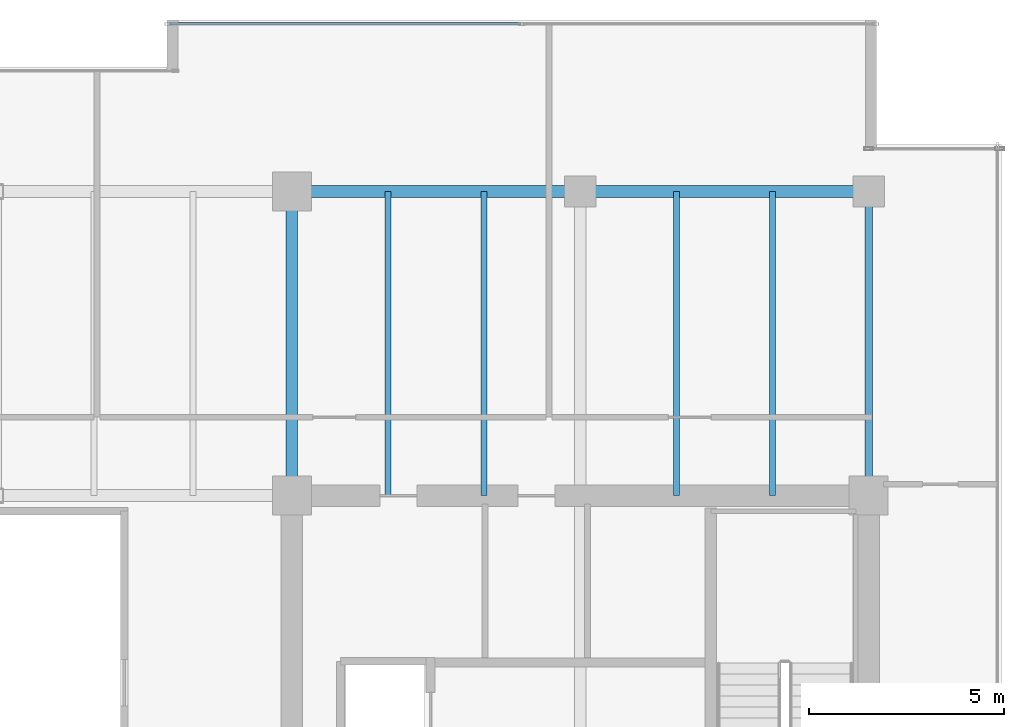
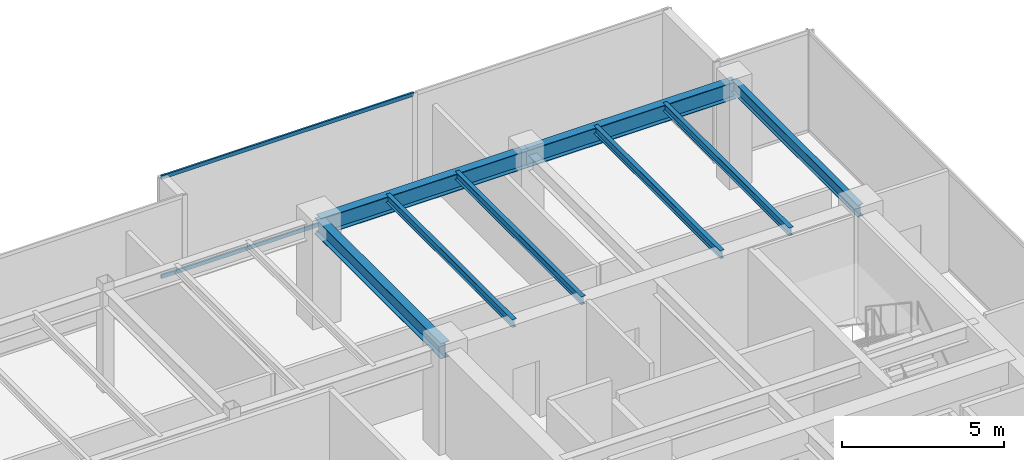
# One storey, part 20 of 33: 8 beams, 2 members, 1 element without a shape of its own.
"""IFC4 building model written with IfcOpenShell, lengths in metres."""

from ifc_helpers import new_model, si_unit, direction, frame, origin, origin_2d, place, context, subcontext, project, spatial, hollow_rectangle, i_section, extrude, source, transform, mapped, material, layer, layer_set, material_profile, profile_set, type_object, type_shapes, element, aggregate, save


model = new_model("IFC4")

# Units and contexts
model_context = context("Model", 3, precision=1e-05, world=origin(), true_north=direction((0.0, 1.0)))
body_context = subcontext(model_context, "Body", "Model", "MODEL_VIEW")
ifc_project = project(units=[si_unit("LENGTHUNIT", "METRE"), si_unit("AREAUNIT", "SQUARE_METRE"), si_unit("VOLUMEUNIT", "CUBIC_METRE"), si_unit("PLANEANGLEUNIT", "RADIAN"), si_unit("MASSUNIT", "GRAM", prefix="KILO")], contexts=[model_context])

# Site, building, storey
site_placement = place(None, origin())
site = spatial("IfcSite", under=ifc_project, at=site_placement, CompositionType="ELEMENT")
building_placement = place(site_placement, origin())
building = spatial("IfcBuilding", under=site, at=building_placement, Name="Haelvirn Gate Laboratories", CompositionType="ELEMENT")
storey_placement = place(building_placement, frame((0.0, 0.0, 230.10009765625)))
storey = spatial("IfcBuildingStorey", under=building, at=storey_placement, Name="L55", CompositionType="ELEMENT", Elevation=230.10009765625)

# Beams
ifc_material_1 = material(Name="Steel SM355", Category="steel")
ifc_material_profile_1 = material_profile(ifc_material_1, i_section(OverallWidth=0.14990234375, OverallDepth=0.300048828125, WebThickness=0.006591796875, FlangeThickness=0.009033203125, at=origin_2d()), Name="H-300x150x6.5x9")
ifc_profile_set_1 = profile_set([ifc_material_profile_1], Name="Steel SM355")
beam_type_1 = type_object("IfcBeamType", Name="BM-J-300", PredefinedType="JOIST", material=ifc_profile_set_1)
shared_shape_1 = source(origin(), body_context, "Body", "SweptSolid", [
    extrude(i_section(OverallWidth=0.14990234375, OverallDepth=0.300048828125, WebThickness=0.006591796875, FlangeThickness=0.009033203125, at=origin_2d()), origin(), (0.0, 0.0, 1.0), 7.800048828125),
])
type_shapes(beam_type_1, [shared_shape_1])
for number, where, z_axis, x_axis, name in (
    (1, (55.070068359375, 33.800048828125, 3.64990234375), (0.0, 1.0, 0.0), (-1.0, 0.0, 0.0), "L55 Composite Lab Joist North X55.07"),
    (2, (57.530029296875, 33.800048828125, 3.64990234375), (0.0, 1.0, 0.0), (-1.0, 0.0, 0.0), "L55 Composite Lab Joist North X57.53"),
    (3, (62.469970703125, 33.800048828125, 3.64990234375), (0.0, 1.0, 0.0), (-1.0, 0.0, 0.0), "L55 Composite Lab Joist North X62.47"),
    (4, (64.929931640625, 33.800048828125, 3.64990234375), (0.0, 1.0, 0.0), (-1.0, 0.0, 0.0), "L55 Composite Lab Joist North X64.93"),
):
    element("IfcBeam", number, at=place(storey_placement, frame(where, z_axis=z_axis, x_axis=x_axis)), inside=storey, type_object=beam_type_1, Name=name, PredefinedType="JOIST", context=body_context, shape_type="MappedRepresentation", body=[
        mapped(shared_shape_1, transform((0.0, 0.0, 0.0), scale=1.0)),
    ])
ifc_material_profile_2 = material_profile(ifc_material_1, i_section(OverallWidth=0.300048828125, OverallDepth=0.587890625, WebThickness=0.011962890625, FlangeThickness=0.02001953125, at=origin_2d()), Name="H-588x300x12x20")
ifc_profile_set_2 = profile_set([ifc_material_profile_2], Name="Steel SM355")
beam_type_2 = type_object("IfcBeamType", Name="BM-G-588", PredefinedType="BEAM", material=ifc_profile_set_2)
shared_shape_2 = source(origin(), body_context, "Body", "SweptSolid", [
    extrude(i_section(OverallWidth=0.300048828125, OverallDepth=0.587890625, WebThickness=0.011962890625, FlangeThickness=0.02001953125, at=origin_2d()), origin(), (0.0, 0.0, 1.0), 7.800048828125),
])
type_shapes(beam_type_2, [shared_shape_2])
beam_1_placement = place(storey_placement, frame((52.60009765625, 33.800048828125, 3.505859375), z_axis=(0.0, 1.0, 0.0), x_axis=(-1.0, 0.0, 0.0)))
element("IfcBeam", 5, at=beam_1_placement, inside=storey, type_object=beam_type_2, Name="L55 Frame Girder X52.6 (33.8-41.6)", PredefinedType="BEAM", context=body_context, shape_type="MappedRepresentation", body=[
    mapped(shared_shape_2, transform((0.0, 0.0, 0.0), scale=1.0)),
])
ifc_material_profile_3 = material_profile(ifc_material_1, i_section(OverallWidth=0.300048828125, OverallDepth=0.64990234375, WebThickness=0.012939453125, FlangeThickness=0.02197265625, at=origin_2d()), Name="H-650x300x13x22")
ifc_profile_set_3 = profile_set([ifc_material_profile_3], Name="Steel SM355")
beam_type_3 = type_object("IfcBeamType", Name="BM-G-650", PredefinedType="BEAM", material=ifc_profile_set_3)
shared_shape_3 = source(origin(), body_context, "Body", "SweptSolid", [
    extrude(i_section(OverallWidth=0.300048828125, OverallDepth=0.64990234375, WebThickness=0.012939453125, FlangeThickness=0.02197265625, at=origin_2d()), origin(), (0.0, 0.0, 1.0), 7.39990234375),
])
type_shapes(beam_type_3, [shared_shape_3])
for number, where, z_axis, x_axis, name in (
    (6, (52.60009765625, 41.60009765625, 3.474853515625), (1.0, 0.0, 0.0), (0.0, 1.0, 0.0), "L55 Primary Girder Y41.6 (52.6-60.0)"),
    (7, (60.0, 41.60009765625, 3.474853515625), (1.0, 0.0, 0.0), (0.0, 1.0, 0.0), "L55 Primary Girder Y41.6 (60.0-67.4)"),
):
    element("IfcBeam", number, at=place(storey_placement, frame(where, z_axis=z_axis, x_axis=x_axis)), inside=storey, type_object=beam_type_3, Name=name, PredefinedType="BEAM", context=body_context, shape_type="MappedRepresentation", body=[
        mapped(shared_shape_3, transform((0.0, 0.0, 0.0), scale=1.0)),
    ])
ifc_material_profile_4 = material_profile(ifc_material_1, i_section(OverallWidth=0.199951171875, OverallDepth=0.449951171875, WebThickness=0.009033203125, FlangeThickness=0.013916015625, at=origin_2d()), Name="H-450x200x9x14")
ifc_profile_set_4 = profile_set([ifc_material_profile_4], Name="Steel SM355")
beam_type_4 = type_object("IfcBeamType", Name="BM-SP-450", PredefinedType="SPANDREL", material=ifc_profile_set_4)
shared_shape_4 = source(origin(), body_context, "Body", "SweptSolid", [
    extrude(i_section(OverallWidth=0.199951171875, OverallDepth=0.449951171875, WebThickness=0.009033203125, FlangeThickness=0.013916015625, at=origin_2d()), origin(), (0.0, 0.0, 1.0), 7.800048828125),
])
type_shapes(beam_type_4, [shared_shape_4])
beam_2_placement = place(storey_placement, frame((67.39990234375, 33.800048828125, 3.574951171875), z_axis=(0.0, 1.0, 0.0), x_axis=(-1.0, 0.0, 0.0)))
element("IfcBeam", 8, at=beam_2_placement, inside=storey, type_object=beam_type_4, Name="L55 Perimeter Spandrel X67.4 (33.8-41.6)", PredefinedType="SPANDREL", context=body_context, shape_type="MappedRepresentation", body=[
    mapped(shared_shape_4, transform((0.0, 0.0, 0.0), scale=1.0)),
])

# Curtain wall, members
ifc_material_2 = material(Name="Anodised bronze unitised aluminium & triple low-E glass", Category="aluminium")
ifc_layer = layer(ifc_material_2, 0.176025390625, Name="CW-SYS-4")
ifc_layer_set = layer_set([ifc_layer], Name="Anodised bronze unitised aluminium & triple low-E glass")
curtain_wall_type = type_object("IfcCurtainWallType", Name="CW-SYS-4", PredefinedType="NOTDEFINED", material=ifc_layer_set)
curtain_wall_placement = place(storey_placement, origin())
curtain_wall = element("IfcCurtainWall", 9, at=curtain_wall_placement, inside=storey, type_object=curtain_wall_type, Name="L55 Unitised Curtain Wall CW-L55-P0-E10-1", PredefinedType="NOTDEFINED")
ifc_material_3 = material(Name="Extruded aluminium 6063-T6 (anodised bronze)", Category="aluminium")
ifc_material_profile_5 = material_profile(ifc_material_3, hollow_rectangle(XDim=0.06494140625, YDim=0.139892578125, WallThickness=0.00390625, at=origin_2d()), Name="CWT-140x65x4")
ifc_profile_set_5 = profile_set([ifc_material_profile_5], Name="Extruded aluminium 6063-T6 (anodised bronze)")
member_type = type_object("IfcMemberType", Name="CWT-T140", PredefinedType="USERDEFINED", material=ifc_profile_set_5)
shared_shape_5 = source(origin(), body_context, "Body", "SweptSolid", [
    extrude(hollow_rectangle(XDim=0.06494140625, YDim=0.139892578125, WallThickness=0.00390625, at=origin_2d()), origin(), (0.0, 0.0, 1.0), 8.9951171875),
])
type_shapes(member_type, [shared_shape_5])
member_1_placement = place(storey_placement, frame((49.469970703125, 45.89990234375, 0.032470703125), z_axis=(1.0, 0.0, 0.0), x_axis=(0.0, 1.0, 0.0)))
member_1 = element("IfcMember", 10, at=member_1_placement, type_object=member_type, Name="CW4 transom 1.1", ObjectType="TRANSOM", PredefinedType="USERDEFINED", context=body_context, shape_type="MappedRepresentation", body=[
    mapped(shared_shape_5, transform((0.0, 0.0, 0.0), scale=1.0)),
])
member_2_placement = place(storey_placement, frame((49.469970703125, 45.89990234375, 3.767333984375), z_axis=(1.0, 0.0, 0.0), x_axis=(0.0, 1.0, 0.0)))
member_2 = element("IfcMember", 11, at=member_2_placement, type_object=member_type, Name="CW4 transom 1.2", ObjectType="TRANSOM", PredefinedType="USERDEFINED", context=body_context, shape_type="MappedRepresentation", body=[
    mapped(shared_shape_5, transform((0.0, 0.0, 0.0), scale=1.0)),
])
aggregate(curtain_wall, [member_1, member_2])

save(model, "model.ifc")
